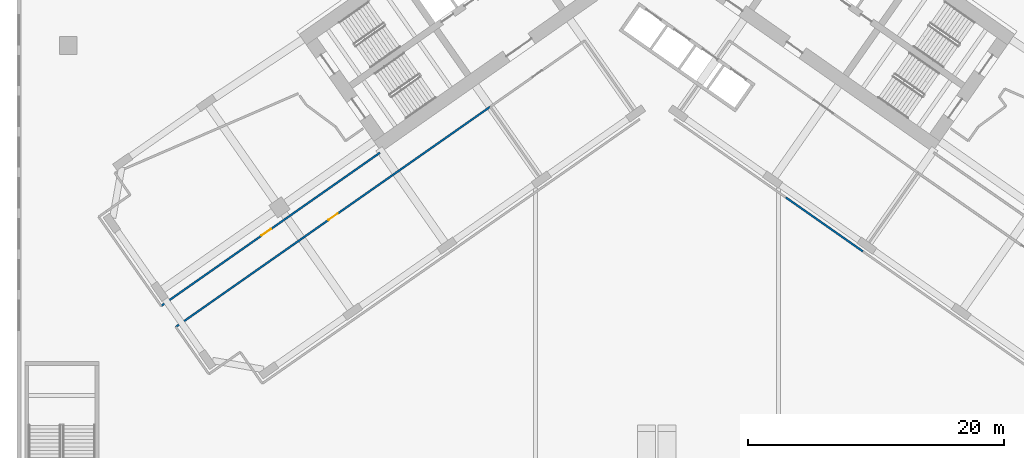
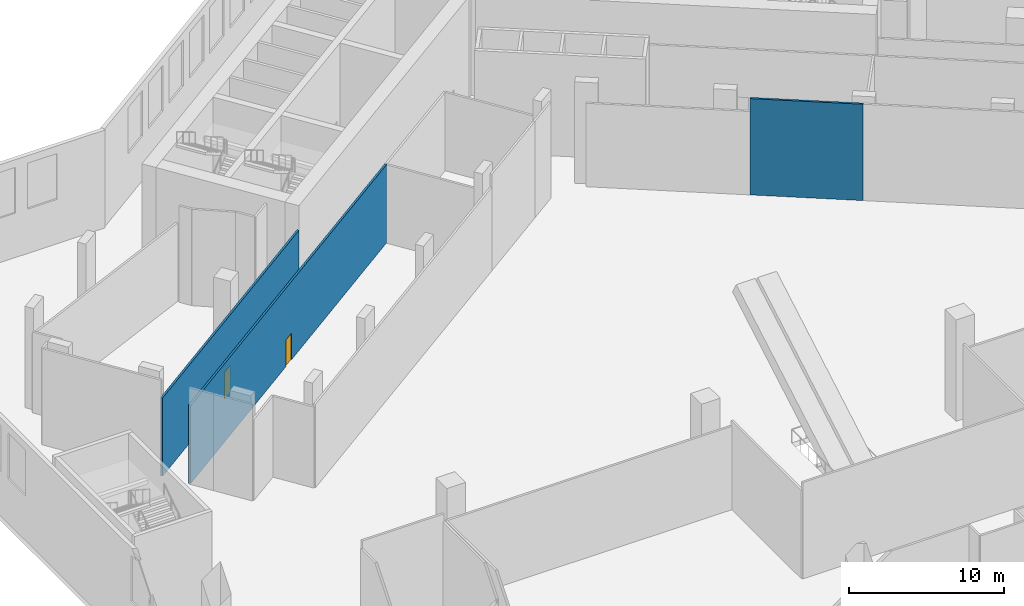
# One storey, part 7 of 27: 3 walls, 2 doors, 2 openings.
"""IFC4 building model written with IfcOpenShell, lengths in metres."""

from ifc_helpers import new_model, si_unit, direction, frame, frame_2d, origin, place, context, subcontext, project, spatial, rectangle, extrude, material, layer, layer_set, type_object, element, fill, save


model = new_model("IFC4")

# Units and contexts
model_context = context("Model", 3, precision=1e-05, world=origin(), true_north=direction((0.0, 1.0)))
body_context = subcontext(model_context, "Body", "Model", "MODEL_VIEW")
ifc_project = project(units=[si_unit("LENGTHUNIT", "METRE"), si_unit("AREAUNIT", "SQUARE_METRE"), si_unit("VOLUMEUNIT", "CUBIC_METRE"), si_unit("PLANEANGLEUNIT", "RADIAN"), si_unit("MASSUNIT", "GRAM", prefix="KILO")], contexts=[model_context])

# Site, building, storey
site_placement = place(None, origin())
site = spatial("IfcSite", under=ifc_project, at=site_placement, CompositionType="ELEMENT")
building_placement = place(site_placement, origin())
building = spatial("IfcBuilding", under=site, at=building_placement, Name="Tel Ilan Convention Tower", CompositionType="ELEMENT")
storey_placement = place(building_placement, frame((0.0, 0.0, 18.0)))
storey = spatial("IfcBuildingStorey", under=building, at=storey_placement, Name="L02", CompositionType="ELEMENT", Elevation=18.0)

# Wall, opening, door
ifc_material_1 = material(Name="Plasterboard on Steel Studs", Category="steel")
ifc_layer = layer(ifc_material_1, 0.14990234375)
ifc_layer_set = layer_set([ifc_layer], Name="Fire-rated Partition 150 EI 60")
wall_type = type_object("IfcWallType", Name="Fire-rated Partition 150 EI 60", PredefinedType="PARTITIONING", material=ifc_layer_set)
wall_1_placement = place(storey_placement, frame((-38.74560546875, -28.350830078125, 0.0), z_axis=(0.0, 0.0, 1.0), x_axis=(0.819148965066, 0.573580833911, 0.0)))
wall_1 = element("IfcWall", 1, at=wall_1_placement, inside=storey, type_object=wall_type, Name="Partition 004", PredefinedType="PARTITIONING", context=body_context, shape_type="SweptSolid", body=[
    extrude(rectangle(XDim=20.8798828125, YDim=0.14990234375, at=frame_2d((10.43994140625, 0.0))), origin(), (0.0, 0.0, 1.0), 6.179931640625),
])
opening_1_placement = place(wall_1_placement, frame((9.590087890625, 0.0, 0.0)))
opening_1 = element("IfcOpeningElement", 2, at=opening_1_placement, cuts=wall_1, Name="Opening L02-003", PredefinedType="OPENING", context=body_context, shape_type="SweptSolid", body=[
    extrude(rectangle(XDim=0.89990234375, YDim=2.10009765625, at=frame_2d((0.449951171875, 1.050048828125))), frame((0.0, 0.0849609375, 0.0), z_axis=(0.0, -1.0, 0.0), x_axis=(1.0, 0.0, 0.0)), (0.0, 0.0, 1.0), 0.169921875),
])
ifc_material_2 = material(Name="Timber Door Leaf in Steel Frame", Category="steel")
door_type_1 = type_object("IfcDoorType", Name="Room Fire Door 900x2100", OperationType="NOTDEFINED", PredefinedType="DOOR", material=ifc_material_2)
door_1_placement = place(opening_1_placement, origin())
door_1 = element("IfcDoor", 3, at=door_1_placement, inside=storey, type_object=door_type_1, Name="Door L02-003", OperationType="SINGLE_SWING_LEFT", OverallHeight=2.10009765625, OverallWidth=0.89990234375, PredefinedType="DOOR", context=body_context, shape_type="SweptSolid", body=[
    extrude(rectangle(XDim=0.89990234375, YDim=2.10009765625, at=frame_2d((0.449951171875, 1.050048828125))), frame((0.0, 0.02490234375, 0.0), z_axis=(0.0, -1.0, 0.0), x_axis=(1.0, 0.0, 0.0)), (0.0, 0.0, 1.0), 0.050048828125),
])
fill(opening_1, door_1)

wall_2_placement = place(storey_placement, frame((-13.0224609375, -12.78076171875, 0.0), z_axis=(0.0, 0.0, 1.0), x_axis=(-0.819154688631, -0.57357265982, 0.0)))
wall_2 = element("IfcWall", 4, at=wall_2_placement, inside=storey, type_object=wall_type, Name="Partition 006", PredefinedType="PARTITIONING", context=body_context, shape_type="SweptSolid", body=[
    extrude(rectangle(XDim=30.001953125, YDim=0.14990234375, at=frame_2d((15.0009765625, 0.0))), origin(), (0.0, 0.0, 1.0), 6.179931640625),
])
opening_2_placement = place(wall_2_placement, frame((14.551025390625, 0.0, 0.0)))
opening_2 = element("IfcOpeningElement", 5, at=opening_2_placement, cuts=wall_2, Name="Opening L02-002", PredefinedType="OPENING", context=body_context, shape_type="SweptSolid", body=[
    extrude(rectangle(XDim=0.89990234375, YDim=2.10009765625, at=frame_2d((0.449951171875, 1.050048828125))), frame((0.0, 0.0849609375, 0.0), z_axis=(0.0, -1.0, 0.0), x_axis=(1.0, 0.0, 0.0)), (0.0, 0.0, 1.0), 0.169921875),
])
ifc_material_3 = material(Name="Timber Door Leaf in Steel Frame", Category="steel")
door_type_2 = type_object("IfcDoorType", Name="Riser and Service Fire Door 900x2100", OperationType="NOTDEFINED", PredefinedType="DOOR", material=ifc_material_3)
door_2_placement = place(opening_2_placement, origin())
door_2 = element("IfcDoor", 6, at=door_2_placement, inside=storey, type_object=door_type_2, Name="Door L02-002", OperationType="SINGLE_SWING_RIGHT", OverallHeight=2.10009765625, OverallWidth=0.89990234375, PredefinedType="DOOR", context=body_context, shape_type="SweptSolid", body=[
    extrude(rectangle(XDim=0.89990234375, YDim=2.10009765625, at=frame_2d((0.449951171875, 1.050048828125))), frame((0.0, 0.02490234375, 0.0), z_axis=(0.0, -1.0, 0.0), x_axis=(1.0, 0.0, 0.0)), (0.0, 0.0, 1.0), 0.050048828125),
])
fill(opening_2, door_2)

# Wall
wall_3_placement = place(storey_placement, frame((16.094482421875, -24.087646484375, 0.0), z_axis=(0.0, 0.0, 1.0), x_axis=(-0.819155454297, 0.573571566324, 0.0)))
element("IfcWall", 7, at=wall_3_placement, inside=storey, type_object=wall_type, Name="Partition 018", PredefinedType="PARTITIONING", context=body_context, shape_type="SweptSolid", body=[
    extrude(rectangle(XDim=7.3505859375, YDim=0.14990234375, at=frame_2d((3.67529296875, 0.0))), origin(), (0.0, 0.0, 1.0), 7.60009765625),
])

save(model, "model.ifc")
